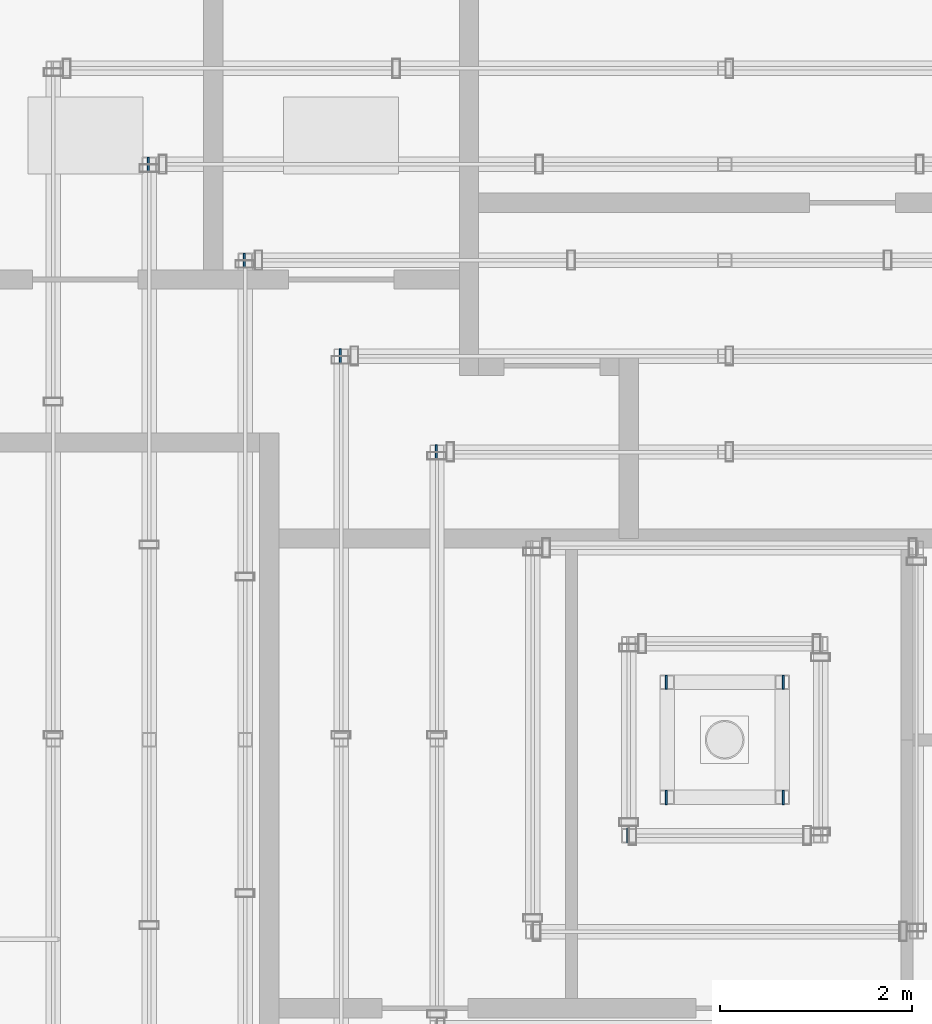
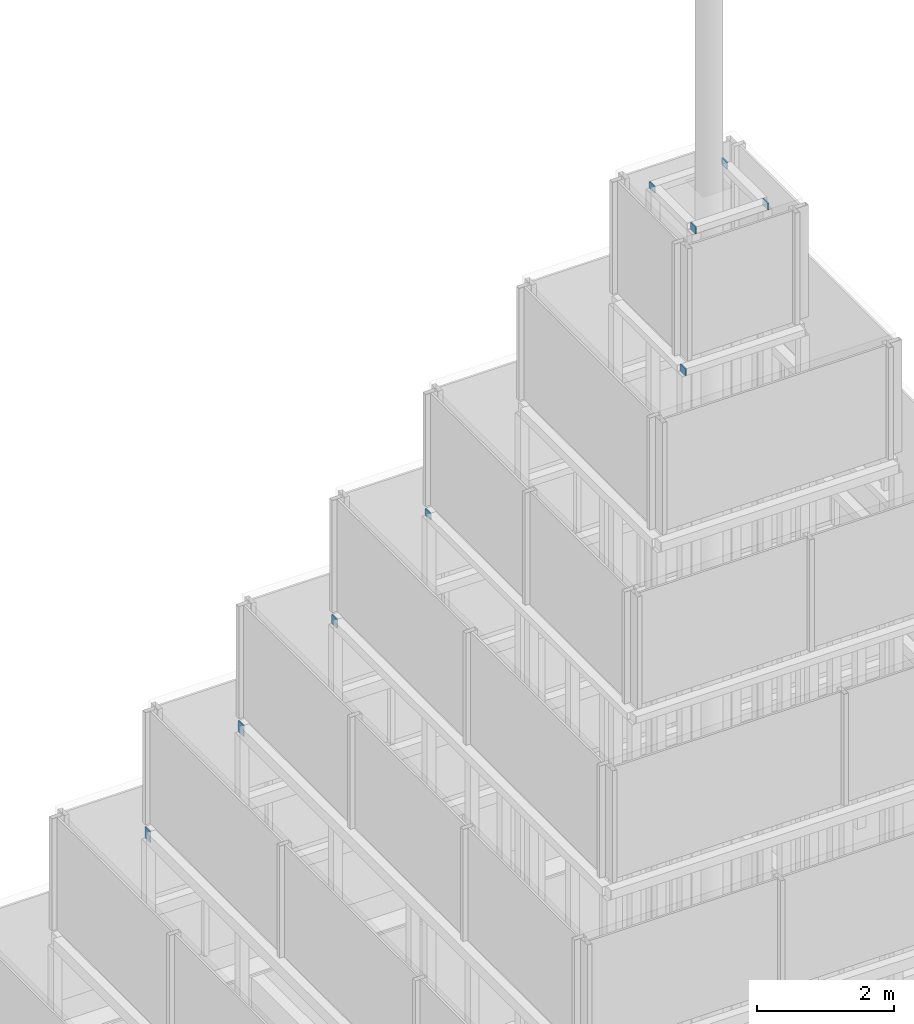
# One storey, part 21 of 24: 9 discrete accessories.
"""IFC4 building model written with IfcOpenShell, lengths in metres."""

from ifc_helpers import new_model, si_unit, direction, frame, origin, origin_2d, place, context, subcontext, project, spatial, rectangle, extrude, element, save


model = new_model("IFC4")

# Units and contexts
model_context = context("Model", 3, precision=1e-05, world=origin(), true_north=direction((0.0, 1.0)))
body_context = subcontext(model_context, "Body", "Model", "MODEL_VIEW")
ifc_project = project(units=[si_unit("LENGTHUNIT", "METRE"), si_unit("AREAUNIT", "SQUARE_METRE"), si_unit("VOLUMEUNIT", "CUBIC_METRE"), si_unit("PLANEANGLEUNIT", "RADIAN"), si_unit("MASSUNIT", "GRAM", prefix="KILO")], contexts=[model_context])

# Site, building, storey
site_placement = place(None, origin())
site = spatial("IfcSite", under=ifc_project, at=site_placement, CompositionType="ELEMENT")
building_placement = place(site_placement, origin())
building = spatial("IfcBuilding", under=site, at=building_placement, Name="Altepetl Exchange Towers", CompositionType="ELEMENT")
storey_placement = place(building_placement, frame((0.0, 0.0, 279.10009765625)))
storey = spatial("IfcBuildingStorey", under=building, at=storey_placement, Name="L70 Crown plant", CompositionType="ELEMENT", Elevation=279.10009765625)

# Discrete accessories
for number, where, z_axis, x_axis, name in (
    (1, (43.489990234375, 55.5, 8.44970703125), (0.0, 0.0, 1.0), (-1.0, 0.0, 0.0), "End cap plate"),
    (2, (44.489990234375, 54.5, 10.60009765625), (0.0, 0.0, 1.0), (-1.0, 0.0, 0.0), "End cap plate"),
):
    element("IfcDiscreteAccessory", number, at=place(storey_placement, frame(where, z_axis=z_axis, x_axis=x_axis)), inside=storey, Name=name, ObjectType="END CAP PLATE", PredefinedType="USERDEFINED", context=body_context, shape_type="SweptSolid", body=[
        extrude(rectangle(XDim=0.02001953125, YDim=0.14990234375, at=origin_2d()), origin(), (0.0, 0.0, 1.0), 0.199951171875),
    ])
discrete_accessory_1_placement = place(storey_placement, frame((45.489990234375, 53.5, 12.7900390625), z_axis=(0.0, 0.0, 1.0), x_axis=(-1.0, 0.0, 0.0)))
element("IfcDiscreteAccessory", 3, at=discrete_accessory_1_placement, inside=storey, Name="End cap plate", ObjectType="END CAP PLATE", PredefinedType="USERDEFINED", context=body_context, shape_type="SweptSolid", body=[
    extrude(rectangle(XDim=0.02001953125, YDim=0.14990234375, at=origin_2d()), origin(), (0.0, 0.0, 1.0), 0.159912109375),
])
for number, where, z_axis, x_axis, name in (
    (4, (46.489990234375, 52.5, 14.979736328125), (0.0, 0.0, 1.0), (-1.0, 0.0, 0.0), "End cap plate"),
    (5, (48.489990234375, 48.5, 19.27978515625), (0.0, 0.0, 1.0), (-1.0, 0.0, 0.0), "End cap plate"),
    (6, (48.889892578125, 48.89990234375, 21.429931640625), (0.0, 0.0, 1.0), (-1.0, 0.0, 0.0), "End cap plate"),
):
    element("IfcDiscreteAccessory", number, at=place(storey_placement, frame(where, z_axis=z_axis, x_axis=x_axis)), inside=storey, Name=name, ObjectType="END CAP PLATE", PredefinedType="USERDEFINED", context=body_context, shape_type="SweptSolid", body=[
        extrude(rectangle(XDim=0.02001953125, YDim=0.14990234375, at=origin_2d()), origin(), (0.0, 0.0, 1.0), 0.1201171875),
    ])
for number, where, name in (
    (7, (50.110107421875, 48.89990234375, 21.429931640625), "End cap plate"),
    (8, (50.110107421875, 50.10009765625, 21.429931640625), "End cap plate"),
):
    element("IfcDiscreteAccessory", number, at=place(storey_placement, frame(where)), inside=storey, Name=name, ObjectType="END CAP PLATE", PredefinedType="USERDEFINED", context=body_context, shape_type="SweptSolid", body=[
        extrude(rectangle(XDim=0.02001953125, YDim=0.14990234375, at=origin_2d()), origin(), (0.0, 0.0, 1.0), 0.1201171875),
    ])
discrete_accessory_2_placement = place(storey_placement, frame((48.889892578125, 50.10009765625, 21.429931640625), z_axis=(0.0, 0.0, 1.0), x_axis=(-1.0, 0.0, 0.0)))
element("IfcDiscreteAccessory", 9, at=discrete_accessory_2_placement, inside=storey, Name="End cap plate", ObjectType="END CAP PLATE", PredefinedType="USERDEFINED", context=body_context, shape_type="SweptSolid", body=[
    extrude(rectangle(XDim=0.02001953125, YDim=0.14990234375, at=origin_2d()), origin(), (0.0, 0.0, 1.0), 0.1201171875),
])

save(model, "model.ifc")
